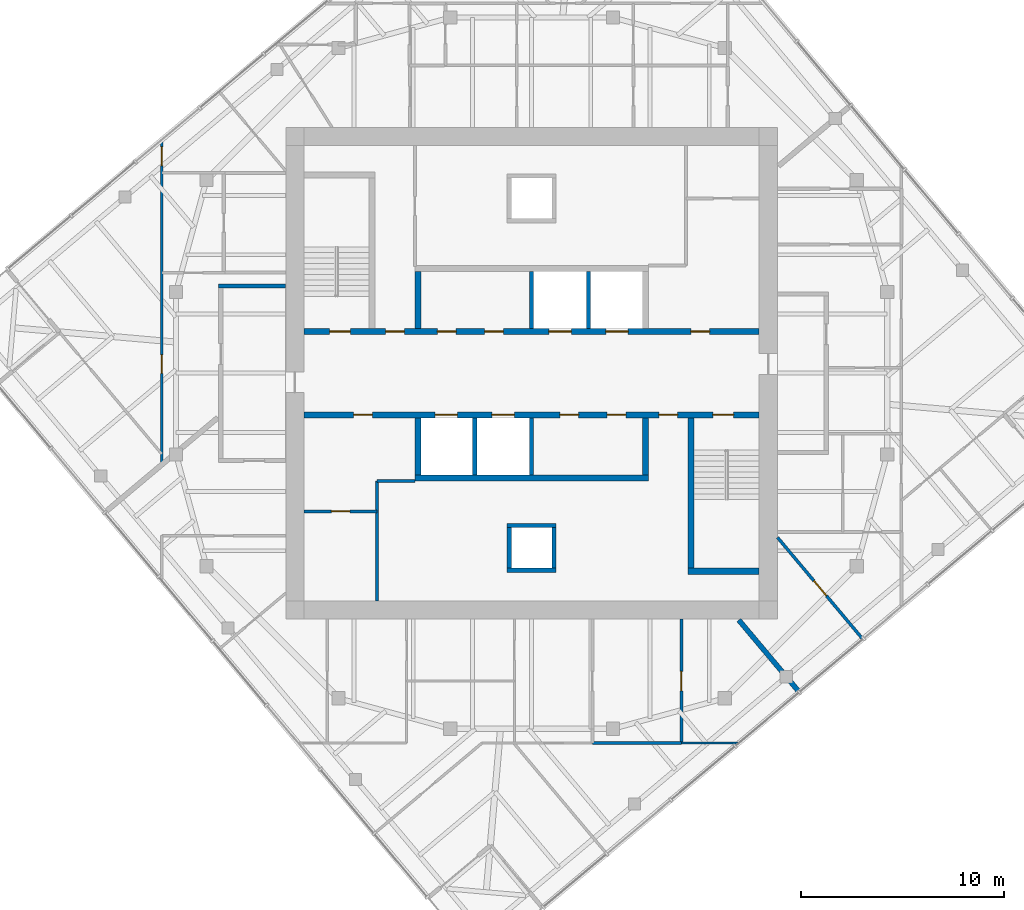
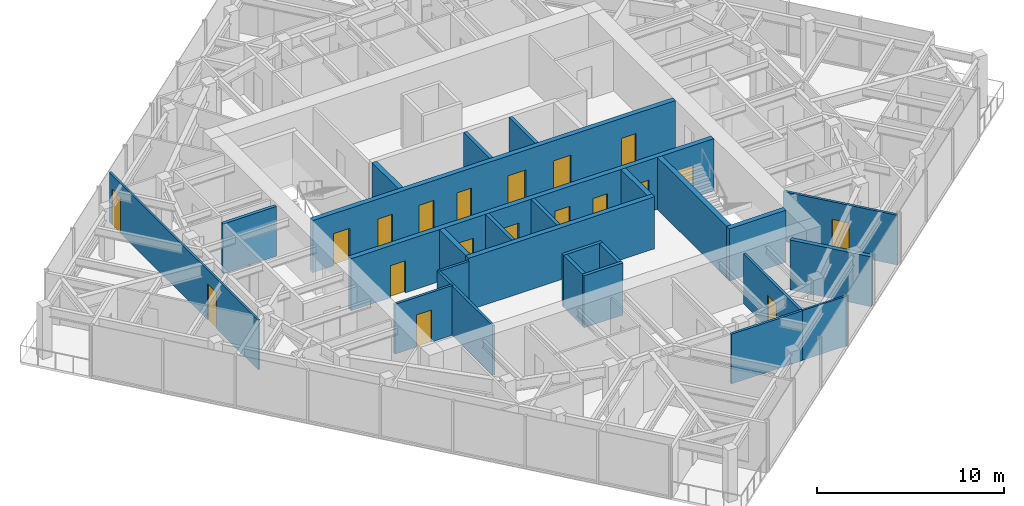
# One storey, part 8 of 12: 26 walls, 19 doors, 19 openings.
"""IFC4 building model written with IfcOpenShell, lengths in metres."""

from ifc_helpers import new_model, si_unit, direction, frame, frame_2d, origin, place, context, subcontext, project, spatial, rectangle, extrude, material, layer, layer_set, type_object, element, fill, save


model = new_model("IFC4")

# Units and contexts
model_context = context("Model", 3, precision=1e-05, world=origin(), true_north=direction((0.0, 1.0)))
body_context = subcontext(model_context, "Body", "Model", "MODEL_VIEW")
ifc_project = project(units=[si_unit("LENGTHUNIT", "METRE"), si_unit("AREAUNIT", "SQUARE_METRE"), si_unit("VOLUMEUNIT", "CUBIC_METRE"), si_unit("PLANEANGLEUNIT", "RADIAN"), si_unit("MASSUNIT", "GRAM", prefix="KILO")], contexts=[model_context])

# Site, building, storey
site_placement = place(None, origin())
site = spatial("IfcSite", under=ifc_project, at=site_placement, CompositionType="ELEMENT")
building_placement = place(site_placement, origin())
building = spatial("IfcBuilding", under=site, at=building_placement, Name="Torsade Residences", CompositionType="ELEMENT")
storey_placement = place(building_placement, frame((0.0, 0.0, 293.0)))
storey = spatial("IfcBuildingStorey", under=building, at=storey_placement, Name="L81", CompositionType="ELEMENT", Elevation=293.0)

# Wall, openings, doors
ifc_material_1 = material(Name="Concrete 80 MPa", Category="concrete")
ifc_layer_1 = layer(ifc_material_1, 0.300048828125)
ifc_layer_set_1 = layer_set([ifc_layer_1], Name="Concrete 80 MPa")
wall_type_1 = type_object("IfcWallType", Name="CORE INTERNAL WALL 300", PredefinedType="SHEAR", material=ifc_layer_set_1)
wall_1_placement = place(storey_placement, frame((28.800048828125, 32.050048828125, 0.0), z_axis=(0.0, 0.0, 1.0), x_axis=(1.0, 0.0, 0.0)))
wall_1 = element("IfcWall", 1, at=wall_1_placement, inside=storey, type_object=wall_type_1, Name="Core wall LN L81", PredefinedType="SHEAR", context=body_context, shape_type="SweptSolid", body=[
    extrude(rectangle(XDim=22.39990234375, YDim=0.300048828125, at=frame_2d((11.199951171875, 0.0))), origin(), (0.0, 0.0, 1.0), 3.39990234375),
])
opening_1_placement = place(wall_1_placement, frame((19.0400390625, 0.0, 0.0)))
opening_1 = element("IfcOpeningElement", 2, at=opening_1_placement, cuts=wall_1, Name="Opening D06", PredefinedType="OPENING", context=body_context, shape_type="SweptSolid", body=[
    extrude(rectangle(XDim=0.919921875, YDim=2.10009765625, at=frame_2d((0.4599609375, 1.050048828125))), frame((0.0, 0.159912109375, 0.0), z_axis=(0.0, -1.0, 0.0), x_axis=(1.0, 0.0, 0.0)), (0.0, 0.0, 1.0), 0.320068359375),
])
opening_2_placement = place(wall_1_placement, frame((1.264892578125, 0.0, 0.0)))
opening_2 = element("IfcOpeningElement", 3, at=opening_2_placement, cuts=wall_1, Name="Opening D03", PredefinedType="OPENING", context=body_context, shape_type="SweptSolid", body=[
    extrude(rectangle(XDim=1.02001953125, YDim=2.10009765625, at=frame_2d((0.510009765625, 1.050048828125))), frame((0.0, 0.159912109375, 0.0), z_axis=(0.0, -1.0, 0.0), x_axis=(1.0, 0.0, 0.0)), (0.0, 0.0, 1.0), 0.320068359375),
])
opening_3_placement = place(wall_1_placement, frame((4.014892578125, 0.0, 0.0)))
opening_3 = element("IfcOpeningElement", 4, at=opening_3_placement, cuts=wall_1, Name="Opening D06", PredefinedType="OPENING", context=body_context, shape_type="SweptSolid", body=[
    extrude(rectangle(XDim=0.919921875, YDim=2.10009765625, at=frame_2d((0.4599609375, 1.050048828125))), frame((0.0, 0.159912109375, 0.0), z_axis=(0.0, -1.0, 0.0), x_axis=(1.0, 0.0, 0.0)), (0.0, 0.0, 1.0), 0.320068359375),
])
opening_4_placement = place(wall_1_placement, frame((6.56494140625, 0.0, 0.0)))
opening_4 = element("IfcOpeningElement", 5, at=opening_4_placement, cuts=wall_1, Name="Opening D06", PredefinedType="OPENING", context=body_context, shape_type="SweptSolid", body=[
    extrude(rectangle(XDim=0.919921875, YDim=2.10009765625, at=frame_2d((0.4599609375, 1.050048828125))), frame((0.0, 0.159912109375, 0.0), z_axis=(0.0, -1.0, 0.0), x_axis=(1.0, 0.0, 0.0)), (0.0, 0.0, 1.0), 0.320068359375),
])
opening_5_placement = place(wall_1_placement, frame((8.889892578125, 0.0, 0.0)))
opening_5 = element("IfcOpeningElement", 6, at=opening_5_placement, cuts=wall_1, Name="Opening D06", PredefinedType="OPENING", context=body_context, shape_type="SweptSolid", body=[
    extrude(rectangle(XDim=0.919921875, YDim=2.10009765625, at=frame_2d((0.4599609375, 1.050048828125))), frame((0.0, 0.159912109375, 0.0), z_axis=(0.0, -1.0, 0.0), x_axis=(1.0, 0.0, 0.0)), (0.0, 0.0, 1.0), 0.320068359375),
])
opening_6_placement = place(wall_1_placement, frame((12.050048828125, 0.0, 0.0)))
opening_6 = element("IfcOpeningElement", 7, at=opening_6_placement, cuts=wall_1, Name="Opening LD", PredefinedType="OPENING", context=body_context, shape_type="SweptSolid", body=[
    extrude(rectangle(XDim=1.10009765625, YDim=2.10009765625, at=frame_2d((0.550048828125, 1.050048828125))), frame((0.0, 0.159912109375, 0.0), z_axis=(0.0, -1.0, 0.0), x_axis=(1.0, 0.0, 0.0)), (0.0, 0.0, 1.0), 0.320068359375),
])
opening_7_placement = place(wall_1_placement, frame((14.85009765625, 0.0, 0.0)))
opening_7 = element("IfcOpeningElement", 8, at=opening_7_placement, cuts=wall_1, Name="Opening LD", PredefinedType="OPENING", context=body_context, shape_type="SweptSolid", body=[
    extrude(rectangle(XDim=1.10009765625, YDim=2.10009765625, at=frame_2d((0.550048828125, 1.050048828125))), frame((0.0, 0.159912109375, 0.0), z_axis=(0.0, -1.0, 0.0), x_axis=(1.0, 0.0, 0.0)), (0.0, 0.0, 1.0), 0.320068359375),
])
ifc_material_2 = material(Name="Steel-framed fire door", Category="steel")
door_type_1 = type_object("IfcDoorType", Name="FIRE DOOR 1020", OperationType="NOTDEFINED", PredefinedType="DOOR", material=ifc_material_2)
door_1_placement = place(opening_2_placement, origin())
door_1 = element("IfcDoor", 9, at=door_1_placement, inside=storey, type_object=door_type_1, Name="Exit door to fire-isolated stair ST1 L81", OperationType="SINGLE_SWING_RIGHT", OverallHeight=2.10009765625, OverallWidth=1.02001953125, PredefinedType="DOOR", context=body_context, shape_type="SweptSolid", body=[
    extrude(rectangle(XDim=1.02001953125, YDim=2.10009765625, at=frame_2d((0.510009765625, 1.050048828125))), frame((0.0, 0.02490234375, 0.0), z_axis=(0.0, -1.0, 0.0), x_axis=(1.0, 0.0, 0.0)), (0.0, 0.0, 1.0), 0.050048828125),
])
fill(opening_2, door_1)
ifc_material_3 = material(Name="Steel-framed fire door", Category="steel")
door_type_2 = type_object("IfcDoorType", Name="FIRE DOOR 920", OperationType="NOTDEFINED", PredefinedType="DOOR", material=ifc_material_3)
door_2_placement = place(opening_1_placement, origin())
door_2 = element("IfcDoor", 10, at=door_2_placement, inside=storey, type_object=door_type_2, Name="Door Lift lobby to Refuse room", OperationType="SINGLE_SWING_LEFT", OverallHeight=2.10009765625, OverallWidth=0.919921875, PredefinedType="DOOR", context=body_context, shape_type="SweptSolid", body=[
    extrude(rectangle(XDim=0.919921875, YDim=2.10009765625, at=frame_2d((0.4599609375, 1.050048828125))), frame((0.0, 0.02490234375, 0.0), z_axis=(0.0, -1.0, 0.0), x_axis=(1.0, 0.0, 0.0)), (0.0, 0.0, 1.0), 0.050048828125),
])
fill(opening_1, door_2)
door_3_placement = place(opening_3_placement, origin())
door_3 = element("IfcDoor", 11, at=door_3_placement, inside=storey, type_object=door_type_2, Name="Door Lift lobby to Meter store", OperationType="SINGLE_SWING_LEFT", OverallHeight=2.10009765625, OverallWidth=0.919921875, PredefinedType="DOOR", context=body_context, shape_type="SweptSolid", body=[
    extrude(rectangle(XDim=0.919921875, YDim=2.10009765625, at=frame_2d((0.4599609375, 1.050048828125))), frame((0.0, 0.02490234375, 0.0), z_axis=(0.0, -1.0, 0.0), x_axis=(1.0, 0.0, 0.0)), (0.0, 0.0, 1.0), 0.050048828125),
])
fill(opening_3, door_3)
door_4_placement = place(opening_4_placement, origin())
door_4 = element("IfcDoor", 12, at=door_4_placement, inside=storey, type_object=door_type_2, Name="Door Lift lobby to Cleaners store L81A", OperationType="SINGLE_SWING_LEFT", OverallHeight=2.10009765625, OverallWidth=0.919921875, PredefinedType="DOOR", context=body_context, shape_type="SweptSolid", body=[
    extrude(rectangle(XDim=0.919921875, YDim=2.10009765625, at=frame_2d((0.4599609375, 1.050048828125))), frame((0.0, 0.02490234375, 0.0), z_axis=(0.0, -1.0, 0.0), x_axis=(1.0, 0.0, 0.0)), (0.0, 0.0, 1.0), 0.050048828125),
])
fill(opening_4, door_4)
door_5_placement = place(opening_5_placement, origin())
door_5 = element("IfcDoor", 13, at=door_5_placement, inside=storey, type_object=door_type_2, Name="Door Lift lobby to Cleaners store L81A", OperationType="SINGLE_SWING_LEFT", OverallHeight=2.10009765625, OverallWidth=0.919921875, PredefinedType="DOOR", context=body_context, shape_type="SweptSolid", body=[
    extrude(rectangle(XDim=0.919921875, YDim=2.10009765625, at=frame_2d((0.4599609375, 1.050048828125))), frame((0.0, 0.02490234375, 0.0), z_axis=(0.0, -1.0, 0.0), x_axis=(1.0, 0.0, 0.0)), (0.0, 0.0, 1.0), 0.050048828125),
])
fill(opening_5, door_5)
ifc_material_4 = material(Name="Stainless steel lift landing door", Category="steel")
door_type_3 = type_object("IfcDoorType", Name="LIFT LANDING DOOR 1100", OperationType="SLIDING_TO_LEFT", PredefinedType="DOOR", material=ifc_material_4)
door_6_placement = place(opening_6_placement, origin())
door_6 = element("IfcDoor", 14, at=door_6_placement, inside=storey, type_object=door_type_3, Name="Lift LA3 landing door L81", OperationType="SLIDING_TO_LEFT", OverallHeight=2.10009765625, OverallWidth=1.10009765625, PredefinedType="DOOR", context=body_context, shape_type="SweptSolid", body=[
    extrude(rectangle(XDim=1.10009765625, YDim=2.10009765625, at=frame_2d((0.550048828125, 1.050048828125))), frame((0.0, 0.02490234375, 0.0), z_axis=(0.0, -1.0, 0.0), x_axis=(1.0, 0.0, 0.0)), (0.0, 0.0, 1.0), 0.050048828125),
])
fill(opening_6, door_6)
door_7_placement = place(opening_7_placement, origin())
door_7 = element("IfcDoor", 15, at=door_7_placement, inside=storey, type_object=door_type_3, Name="Lift FL1 landing door L81", OperationType="SLIDING_TO_LEFT", OverallHeight=2.10009765625, OverallWidth=1.10009765625, PredefinedType="DOOR", context=body_context, shape_type="SweptSolid", body=[
    extrude(rectangle(XDim=1.10009765625, YDim=2.10009765625, at=frame_2d((0.550048828125, 1.050048828125))), frame((0.0, 0.02490234375, 0.0), z_axis=(0.0, -1.0, 0.0), x_axis=(1.0, 0.0, 0.0)), (0.0, 0.0, 1.0), 0.050048828125),
])
fill(opening_7, door_7)

wall_2_placement = place(storey_placement, frame((51.199951171875, 27.949951171875, 0.0), z_axis=(0.0, 0.0, 1.0), x_axis=(-1.0, 0.0, 0.0)))
wall_2 = element("IfcWall", 16, at=wall_2_placement, inside=storey, type_object=wall_type_1, Name="Core wall LS L81", PredefinedType="SHEAR", context=body_context, shape_type="SweptSolid", body=[
    extrude(rectangle(XDim=22.39990234375, YDim=0.300048828125, at=frame_2d((11.199951171875, 0.0))), origin(), (0.0, 0.0, 1.0), 3.39990234375),
])
opening_8_placement = place(wall_2_placement, frame((19.0400390625, 0.0, 0.0)))
opening_8 = element("IfcOpeningElement", 17, at=opening_8_placement, cuts=wall_2, Name="Opening D06", PredefinedType="OPENING", context=body_context, shape_type="SweptSolid", body=[
    extrude(rectangle(XDim=0.919921875, YDim=2.10009765625, at=frame_2d((0.4599609375, 1.050048828125))), frame((0.0, 0.159912109375, 0.0), z_axis=(0.0, -1.0, 0.0), x_axis=(1.0, 0.0, 0.0)), (0.0, 0.0, 1.0), 0.320068359375),
])
opening_9_placement = place(wall_2_placement, frame((1.264892578125, 0.0, 0.0)))
opening_9 = element("IfcOpeningElement", 18, at=opening_9_placement, cuts=wall_2, Name="Opening D03", PredefinedType="OPENING", context=body_context, shape_type="SweptSolid", body=[
    extrude(rectangle(XDim=1.02001953125, YDim=2.10009765625, at=frame_2d((0.510009765625, 1.050048828125))), frame((0.0, 0.159912109375, 0.0), z_axis=(0.0, -1.0, 0.0), x_axis=(1.0, 0.0, 0.0)), (0.0, 0.0, 1.0), 0.320068359375),
])
opening_10_placement = place(wall_2_placement, frame((4.014892578125, 0.0, 0.0)))
opening_10 = element("IfcOpeningElement", 19, at=opening_10_placement, cuts=wall_2, Name="Opening D06", PredefinedType="OPENING", context=body_context, shape_type="SweptSolid", body=[
    extrude(rectangle(XDim=0.919921875, YDim=2.10009765625, at=frame_2d((0.4599609375, 1.050048828125))), frame((0.0, 0.159912109375, 0.0), z_axis=(0.0, -1.0, 0.0), x_axis=(1.0, 0.0, 0.0)), (0.0, 0.0, 1.0), 0.320068359375),
])
opening_11_placement = place(wall_2_placement, frame((8.889892578125, 0.0, 0.0)))
opening_11 = element("IfcOpeningElement", 20, at=opening_11_placement, cuts=wall_2, Name="Opening D06", PredefinedType="OPENING", context=body_context, shape_type="SweptSolid", body=[
    extrude(rectangle(XDim=0.919921875, YDim=2.10009765625, at=frame_2d((0.4599609375, 1.050048828125))), frame((0.0, 0.159912109375, 0.0), z_axis=(0.0, -1.0, 0.0), x_axis=(1.0, 0.0, 0.0)), (0.0, 0.0, 1.0), 0.320068359375),
])
opening_12_placement = place(wall_2_placement, frame((6.56494140625, 0.0, 0.0)))
opening_12 = element("IfcOpeningElement", 21, at=opening_12_placement, cuts=wall_2, Name="Opening D06", PredefinedType="OPENING", context=body_context, shape_type="SweptSolid", body=[
    extrude(rectangle(XDim=0.919921875, YDim=2.10009765625, at=frame_2d((0.4599609375, 1.050048828125))), frame((0.0, 0.159912109375, 0.0), z_axis=(0.0, -1.0, 0.0), x_axis=(1.0, 0.0, 0.0)), (0.0, 0.0, 1.0), 0.320068359375),
])
opening_13_placement = place(wall_2_placement, frame((12.050048828125, 0.0, 0.0)))
opening_13 = element("IfcOpeningElement", 22, at=opening_13_placement, cuts=wall_2, Name="Opening LD", PredefinedType="OPENING", context=body_context, shape_type="SweptSolid", body=[
    extrude(rectangle(XDim=1.10009765625, YDim=2.10009765625, at=frame_2d((0.550048828125, 1.050048828125))), frame((0.0, 0.159912109375, 0.0), z_axis=(0.0, -1.0, 0.0), x_axis=(1.0, 0.0, 0.0)), (0.0, 0.0, 1.0), 0.320068359375),
])
opening_14_placement = place(wall_2_placement, frame((14.85009765625, 0.0, 0.0)))
opening_14 = element("IfcOpeningElement", 23, at=opening_14_placement, cuts=wall_2, Name="Opening LD", PredefinedType="OPENING", context=body_context, shape_type="SweptSolid", body=[
    extrude(rectangle(XDim=1.10009765625, YDim=2.10009765625, at=frame_2d((0.550048828125, 1.050048828125))), frame((0.0, 0.159912109375, 0.0), z_axis=(0.0, -1.0, 0.0), x_axis=(1.0, 0.0, 0.0)), (0.0, 0.0, 1.0), 0.320068359375),
])
door_8_placement = place(opening_9_placement, origin())
door_8 = element("IfcDoor", 24, at=door_8_placement, inside=storey, type_object=door_type_1, Name="Exit door to fire-isolated stair ST2 L81", OperationType="SINGLE_SWING_RIGHT", OverallHeight=2.10009765625, OverallWidth=1.02001953125, PredefinedType="DOOR", context=body_context, shape_type="SweptSolid", body=[
    extrude(rectangle(XDim=1.02001953125, YDim=2.10009765625, at=frame_2d((0.510009765625, 1.050048828125))), frame((0.0, 0.02490234375, 0.0), z_axis=(0.0, -1.0, 0.0), x_axis=(1.0, 0.0, 0.0)), (0.0, 0.0, 1.0), 0.050048828125),
])
fill(opening_9, door_8)
door_9_placement = place(opening_8_placement, origin())
door_9 = element("IfcDoor", 25, at=door_9_placement, inside=storey, type_object=door_type_2, Name="Door Lift lobby to Cleaner store", OperationType="SINGLE_SWING_LEFT", OverallHeight=2.10009765625, OverallWidth=0.919921875, PredefinedType="DOOR", context=body_context, shape_type="SweptSolid", body=[
    extrude(rectangle(XDim=0.919921875, YDim=2.10009765625, at=frame_2d((0.4599609375, 1.050048828125))), frame((0.0, 0.02490234375, 0.0), z_axis=(0.0, -1.0, 0.0), x_axis=(1.0, 0.0, 0.0)), (0.0, 0.0, 1.0), 0.050048828125),
])
fill(opening_8, door_9)
door_10_placement = place(opening_10_placement, origin())
door_10 = element("IfcDoor", 26, at=door_10_placement, inside=storey, type_object=door_type_2, Name="Door Lift lobby to Communications riser room", OperationType="SINGLE_SWING_RIGHT", OverallHeight=2.10009765625, OverallWidth=0.919921875, PredefinedType="DOOR", context=body_context, shape_type="SweptSolid", body=[
    extrude(rectangle(XDim=0.919921875, YDim=2.10009765625, at=frame_2d((0.4599609375, 1.050048828125))), frame((0.0, 0.02490234375, 0.0), z_axis=(0.0, -1.0, 0.0), x_axis=(1.0, 0.0, 0.0)), (0.0, 0.0, 1.0), 0.050048828125),
])
fill(opening_10, door_10)
door_11_placement = place(opening_11_placement, origin())
door_11 = element("IfcDoor", 27, at=door_11_placement, inside=storey, type_object=door_type_2, Name="Door Lift lobby to Residents storage L81B", OperationType="SINGLE_SWING_LEFT", OverallHeight=2.10009765625, OverallWidth=0.919921875, PredefinedType="DOOR", context=body_context, shape_type="SweptSolid", body=[
    extrude(rectangle(XDim=0.919921875, YDim=2.10009765625, at=frame_2d((0.4599609375, 1.050048828125))), frame((0.0, 0.02490234375, 0.0), z_axis=(0.0, -1.0, 0.0), x_axis=(1.0, 0.0, 0.0)), (0.0, 0.0, 1.0), 0.050048828125),
])
fill(opening_11, door_11)
door_12_placement = place(opening_12_placement, origin())
door_12 = element("IfcDoor", 28, at=door_12_placement, inside=storey, type_object=door_type_2, Name="Door Lift lobby to Residents storage L81B", OperationType="SINGLE_SWING_RIGHT", OverallHeight=2.10009765625, OverallWidth=0.919921875, PredefinedType="DOOR", context=body_context, shape_type="SweptSolid", body=[
    extrude(rectangle(XDim=0.919921875, YDim=2.10009765625, at=frame_2d((0.4599609375, 1.050048828125))), frame((0.0, 0.02490234375, 0.0), z_axis=(0.0, -1.0, 0.0), x_axis=(1.0, 0.0, 0.0)), (0.0, 0.0, 1.0), 0.050048828125),
])
fill(opening_12, door_12)
door_13_placement = place(opening_13_placement, origin())
door_13 = element("IfcDoor", 29, at=door_13_placement, inside=storey, type_object=door_type_3, Name="Lift LB3 landing door L81", OperationType="SLIDING_TO_LEFT", OverallHeight=2.10009765625, OverallWidth=1.10009765625, PredefinedType="DOOR", context=body_context, shape_type="SweptSolid", body=[
    extrude(rectangle(XDim=1.10009765625, YDim=2.10009765625, at=frame_2d((0.550048828125, 1.050048828125))), frame((0.0, 0.02490234375, 0.0), z_axis=(0.0, -1.0, 0.0), x_axis=(1.0, 0.0, 0.0)), (0.0, 0.0, 1.0), 0.050048828125),
])
fill(opening_13, door_13)
door_14_placement = place(opening_14_placement, origin())
door_14 = element("IfcDoor", 30, at=door_14_placement, inside=storey, type_object=door_type_3, Name="Lift FL2 landing door L81", OperationType="SLIDING_TO_LEFT", OverallHeight=2.10009765625, OverallWidth=1.10009765625, PredefinedType="DOOR", context=body_context, shape_type="SweptSolid", body=[
    extrude(rectangle(XDim=1.10009765625, YDim=2.10009765625, at=frame_2d((0.550048828125, 1.050048828125))), frame((0.0, 0.02490234375, 0.0), z_axis=(0.0, -1.0, 0.0), x_axis=(1.0, 0.0, 0.0)), (0.0, 0.0, 1.0), 0.050048828125),
])
fill(opening_14, door_14)

# Walls
wall_3_placement = place(storey_placement, frame((45.75, 24.85009765625, 0.0), z_axis=(0.0, 0.0, 1.0), x_axis=(-1.0, 0.0, 0.0)))
element("IfcWall", 31, at=wall_3_placement, inside=storey, type_object=wall_type_1, Name="Core wall BS L81", PredefinedType="SHEAR", context=body_context, shape_type="SweptSolid", body=[
    extrude(rectangle(XDim=11.5, YDim=0.300048828125, at=frame_2d((5.75, 0.0))), origin(), (0.0, 0.0, 1.0), 3.39990234375),
])
for number, where, z_axis, x_axis, name in (
    (32, (34.39990234375, 32.199951171875, 0.0), (0.0, 0.0, 1.0), (0.0, 1.0, 0.0), "Core wall DN0 L81"),
    (33, (45.60009765625, 27.800048828125, 0.0), (0.0, 0.0, 1.0), (0.0, -1.0, 0.0), "Core wall DS0 L81"),
    (34, (34.39990234375, 27.800048828125, 0.0), (0.0, 0.0, 1.0), (0.0, -1.0, 0.0), "Core wall DS4 L81"),
):
    element("IfcWall", number, at=place(storey_placement, frame(where, z_axis=z_axis, x_axis=x_axis)), inside=storey, type_object=wall_type_1, Name=name, PredefinedType="SHEAR", context=body_context, shape_type="SweptSolid", body=[
        extrude(rectangle(XDim=2.800048828125, YDim=0.300048828125, at=frame_2d((1.39990234375, 0.0))), origin(), (0.0, 0.0, 1.0), 3.39990234375),
    ])
wall_4_placement = place(storey_placement, frame((47.85009765625, 27.800048828125, 0.0), z_axis=(0.0, 0.0, 1.0), x_axis=(0.0, -1.0, 0.0)))
element("IfcWall", 35, at=wall_4_placement, inside=storey, type_object=wall_type_1, Name="Core wall ST2W L81", PredefinedType="SHEAR", context=body_context, shape_type="SweptSolid", body=[
    extrude(rectangle(XDim=7.699951171875, YDim=0.300048828125, at=frame_2d((3.85009765625, 0.0))), origin(), (0.0, 0.0, 1.0), 3.39990234375),
])
wall_5_placement = place(storey_placement, frame((51.199951171875, 20.25, 0.0), z_axis=(0.0, 0.0, 1.0), x_axis=(-1.0, 0.0, 0.0)))
element("IfcWall", 36, at=wall_5_placement, inside=storey, type_object=wall_type_1, Name="Core wall ST2S L81", PredefinedType="SHEAR", context=body_context, shape_type="SweptSolid", body=[
    extrude(rectangle(XDim=3.5, YDim=0.300048828125, at=frame_2d((1.75, 0.0))), origin(), (0.0, 0.0, 1.0), 3.39990234375),
])
ifc_material_5 = material(Name="Plasterboard on steel stud", Category="steel")
ifc_layer_2 = layer(ifc_material_5, 0.199951171875)
ifc_layer_set_2 = layer_set([ifc_layer_2], Name="Plasterboard on steel stud")
wall_type_2 = type_object("IfcWallType", Name="CORRIDOR WALL 200", PredefinedType="PARTITIONING", material=ifc_layer_set_2)
wall_6_placement = place(storey_placement, frame((27.89990234375, 34.300048828125, 0.0), z_axis=(0.0, 0.0, 1.0), x_axis=(-1.0, 0.0, 0.0)))
element("IfcWall", 37, at=wall_6_placement, inside=storey, type_object=wall_type_2, Name="Corridor wall L81", PredefinedType="PARTITIONING", context=body_context, shape_type="SweptSolid", body=[
    extrude(rectangle(XDim=3.2998046875, YDim=0.199951171875, at=frame_2d((1.64990234375, 0.0))), origin(), (0.0, 0.0, 1.0), 3.25),
])
ifc_material_6 = material(Name="Reinforced blockwork", Category="masonry")
ifc_layer_3 = layer(ifc_material_6, 0.199951171875)
ifc_layer_set_3 = layer_set([ifc_layer_3], Name="Reinforced blockwork")
wall_type_3 = type_object("IfcWallType", Name="LIFT SHAFT DIVIDING WALL 200", PredefinedType="SOLIDWALL", material=ifc_layer_set_3)
for number, where, z_axis, x_axis, name in (
    (38, (40.0, 32.199951171875, 0.0), (0.0, 0.0, 1.0), (0.0, 1.0, 0.0), "Core wall DN2 L81"),
    (39, (40.0, 27.800048828125, 0.0), (0.0, 0.0, 1.0), (0.0, -1.0, 0.0), "Core wall DS2 L81"),
    (40, (42.800048828125, 32.199951171875, 0.0), (0.0, 0.0, 1.0), (0.0, 1.0, 0.0), "Core wall DN3 L81"),
    (41, (37.199951171875, 27.800048828125, 0.0), (0.0, 0.0, 1.0), (0.0, -1.0, 0.0), "Core wall DS3 L81"),
):
    element("IfcWall", number, at=place(storey_placement, frame(where, z_axis=z_axis, x_axis=x_axis)), inside=storey, type_object=wall_type_3, Name=name, PredefinedType="SOLIDWALL", context=body_context, shape_type="SweptSolid", body=[
        extrude(rectangle(XDim=2.800048828125, YDim=0.199951171875, at=frame_2d((1.39990234375, 0.0))), origin(), (0.0, 0.0, 1.0), 3.39990234375),
    ])
ifc_material_7 = material(Name="Plasterboard on steel stud", Category="steel")
ifc_layer_4 = layer(ifc_material_7, 0.1201171875)
ifc_layer_set_4 = layer_set([ifc_layer_4], Name="Plasterboard on steel stud")
wall_type_4 = type_object("IfcWallType", Name="PARTITION 120", PredefinedType="PARTITIONING", material=ifc_layer_set_4)
wall_7_placement = place(storey_placement, frame((50.162353515625, 11.800048828125, 0.0), z_axis=(0.0, 0.0, 1.0), x_axis=(-1.0, 0.0, 0.0)))
element("IfcWall", 42, at=wall_7_placement, inside=storey, type_object=wall_type_4, Name="Partition L81", PredefinedType="PARTITIONING", context=body_context, shape_type="SweptSolid", body=[
    extrude(rectangle(XDim=2.78857421875, YDim=0.1201171875, at=frame_2d((1.394287109375, 0.0))), origin(), (0.0, 0.0, 1.0), 3.25),
])

# Wall, openings, doors
wall_8_placement = place(storey_placement, frame((21.800048828125, 25.498046875, 0.0), z_axis=(0.0, 0.0, 1.0), x_axis=(0.0, 1.0, 0.0)))
wall_8 = element("IfcWall", 43, at=wall_8_placement, inside=storey, type_object=wall_type_4, Name="Partition L81", PredefinedType="PARTITIONING", context=body_context, shape_type="SweptSolid", body=[
    extrude(rectangle(XDim=15.93896484375, YDim=0.1201171875, at=frame_2d((7.969482421875, 0.0))), origin(), (0.0, 0.0, 1.0), 3.25),
])
opening_15_placement = place(wall_8_placement, frame((4.48583984375, 0.0, 0.0)))
opening_15 = element("IfcOpeningElement", 44, at=opening_15_placement, cuts=wall_8, Name="Opening D02", PredefinedType="OPENING", context=body_context, shape_type="SweptSolid", body=[
    extrude(rectangle(XDim=0.919921875, YDim=2.340087890625, at=frame_2d((0.4599609375, 1.169921875))), frame((0.0, 0.070068359375, 0.0), z_axis=(0.0, -1.0, 0.0), x_axis=(1.0, 0.0, 0.0)), (0.0, 0.0, 1.0), 0.14013671875),
])
opening_16_placement = place(wall_8_placement, frame((14.712646484375, 0.0, 0.0)))
opening_16 = element("IfcOpeningElement", 45, at=opening_16_placement, cuts=wall_8, Name="Opening D02", PredefinedType="OPENING", context=body_context, shape_type="SweptSolid", body=[
    extrude(rectangle(XDim=0.919921875, YDim=2.340087890625, at=frame_2d((0.4599609375, 1.169921875))), frame((0.0, 0.070068359375, 0.0), z_axis=(0.0, -1.0, 0.0), x_axis=(1.0, 0.0, 0.0)), (0.0, 0.0, 1.0), 0.14013671875),
])
ifc_material_8 = material(Name="Hollow-core timber door", Category="wood")
door_type_4 = type_object("IfcDoorType", Name="INTERNAL DOOR 920x2340", OperationType="NOTDEFINED", PredefinedType="DOOR", material=ifc_material_8)
door_15_placement = place(opening_15_placement, origin())
door_15 = element("IfcDoor", 46, at=door_15_placement, inside=storey, type_object=door_type_4, Name="Door Kitchen and dining to Living room", OperationType="SINGLE_SWING_RIGHT", OverallHeight=2.340087890625, OverallWidth=0.919921875, PredefinedType="DOOR", context=body_context, shape_type="SweptSolid", body=[
    extrude(rectangle(XDim=0.919921875, YDim=2.340087890625, at=frame_2d((0.4599609375, 1.169921875))), frame((0.0, 0.02490234375, 0.0), z_axis=(0.0, -1.0, 0.0), x_axis=(1.0, 0.0, 0.0)), (0.0, 0.0, 1.0), 0.050048828125),
])
fill(opening_15, door_15)
door_16_placement = place(opening_16_placement, origin())
door_16 = element("IfcDoor", 47, at=door_16_placement, inside=storey, type_object=door_type_4, Name="Door Living room to Dressing room 2", OperationType="SINGLE_SWING_RIGHT", OverallHeight=2.340087890625, OverallWidth=0.919921875, PredefinedType="DOOR", context=body_context, shape_type="SweptSolid", body=[
    extrude(rectangle(XDim=0.919921875, YDim=2.340087890625, at=frame_2d((0.4599609375, 1.169921875))), frame((0.0, 0.02490234375, 0.0), z_axis=(0.0, -1.0, 0.0), x_axis=(1.0, 0.0, 0.0)), (0.0, 0.0, 1.0), 0.050048828125),
])
fill(opening_16, door_16)

# Walls
ifc_material_9 = material(Name="Masonry-lined stud party wall", Category="masonry")
ifc_layer_5 = layer(ifc_material_9, 0.25)
ifc_layer_set_5 = layer_set([ifc_layer_5], Name="Masonry-lined stud party wall")
wall_type_5 = type_object("IfcWallType", Name="PARTY WALL 250", PredefinedType="PARTITIONING", material=ifc_layer_set_5)
wall_9_placement = place(storey_placement, frame((53.17724609375, 14.296142578125, 0.0), z_axis=(0.0, 0.0, 1.0), x_axis=(-0.64279957712, 0.76603440109, 0.0)))
element("IfcWall", 48, at=wall_9_placement, inside=storey, type_object=wall_type_5, Name="Party wall L81", PredefinedType="PARTITIONING", context=body_context, shape_type="SweptSolid", body=[
    extrude(rectangle(XDim=4.6396484375, YDim=0.25, at=frame_2d((2.31982421875, 0.0))), origin(), (0.0, 0.0, 1.0), 3.25),
])
ifc_material_10 = material(Name="Reinforced blockwork", Category="masonry")
ifc_layer_6 = layer(ifc_material_10, 0.199951171875)
ifc_layer_set_6 = layer_set([ifc_layer_6], Name="Reinforced blockwork")
wall_type_6 = type_object("IfcWallType", Name="RISER SHAFT WALL 200", PredefinedType="SOLIDWALL", material=ifc_layer_set_6)
for number, where, z_axis, x_axis, name in (
    (49, (38.89990234375, 22.39990234375, 0.0), (0.0, 0.0, 1.0), (0.0, -1.0, 0.0), "Core wall RS2a L81"),
    (50, (41.10009765625, 22.39990234375, 0.0), (0.0, 0.0, 1.0), (0.0, -1.0, 0.0), "Core wall RS2b L81"),
):
    element("IfcWall", number, at=place(storey_placement, frame(where, z_axis=z_axis, x_axis=x_axis)), inside=storey, type_object=wall_type_6, Name=name, PredefinedType="SOLIDWALL", context=body_context, shape_type="SweptSolid", body=[
        extrude(rectangle(XDim=2.0, YDim=0.199951171875, at=frame_2d((1.0, 0.0))), origin(), (0.0, 0.0, 1.0), 3.39990234375),
    ])
for number, where, z_axis, x_axis, name in (
    (51, (38.800048828125, 22.5, 0.0), (0.0, 0.0, 1.0), (1.0, 0.0, 0.0), "Core wall RS2c L81"),
    (52, (38.800048828125, 20.300048828125, 0.0), (0.0, 0.0, 1.0), (1.0, 0.0, 0.0), "Core wall RS2d L81"),
):
    element("IfcWall", number, at=place(storey_placement, frame(where, z_axis=z_axis, x_axis=x_axis)), inside=storey, type_object=wall_type_6, Name=name, PredefinedType="SOLIDWALL", context=body_context, shape_type="SweptSolid", body=[
        extrude(rectangle(XDim=2.39990234375, YDim=0.199951171875, at=frame_2d((1.199951171875, 0.0))), origin(), (0.0, 0.0, 1.0), 3.39990234375),
    ])
ifc_material_11 = material(Name="Reinforced blockwork", Category="masonry")
ifc_layer_7 = layer(ifc_material_11, 0.14990234375)
ifc_layer_set_7 = layer_set([ifc_layer_7], Name="Reinforced blockwork")
wall_type_7 = type_object("IfcWallType", Name="SERVICE ROOM WALL 150", PredefinedType="SOLIDWALL", material=ifc_layer_set_7)
wall_10_placement = place(storey_placement, frame((32.39990234375, 18.800048828125, 0.0), z_axis=(0.0, 0.0, 1.0), x_axis=(0.0, 1.0, 0.0)))
element("IfcWall", 53, at=wall_10_placement, inside=storey, type_object=wall_type_7, Name="Service room wall L81", PredefinedType="SOLIDWALL", context=body_context, shape_type="SweptSolid", body=[
    extrude(rectangle(XDim=5.89990234375, YDim=0.14990234375, at=frame_2d((2.949951171875, 0.0))), origin(), (0.0, 0.0, 1.0), 3.25),
])
wall_11_placement = place(storey_placement, frame((32.39990234375, 24.699951171875, 0.0), z_axis=(0.0, 0.0, 1.0), x_axis=(1.0, 0.0, 0.0)))
element("IfcWall", 54, at=wall_11_placement, inside=storey, type_object=wall_type_7, Name="Service room wall L81", PredefinedType="SOLIDWALL", context=body_context, shape_type="SweptSolid", body=[
    extrude(rectangle(XDim=1.85009765625, YDim=0.14990234375, at=frame_2d((0.925048828125, 0.0))), origin(), (0.0, 0.0, 1.0), 3.25),
])

# Wall, opening, door
wall_12_placement = place(storey_placement, frame((32.39990234375, 23.199951171875, 0.0), z_axis=(0.0, 0.0, 1.0), x_axis=(-1.0, 0.0, 0.0)))
wall_12 = element("IfcWall", 55, at=wall_12_placement, inside=storey, type_object=wall_type_7, Name="Service room wall L81", PredefinedType="SOLIDWALL", context=body_context, shape_type="SweptSolid", body=[
    extrude(rectangle(XDim=3.599853515625, YDim=0.14990234375, at=frame_2d((1.7998046875, 0.0))), origin(), (0.0, 0.0, 1.0), 3.25),
])
opening_17_placement = place(wall_12_placement, frame((1.340087890625, 0.0, 0.0)))
opening_17 = element("IfcOpeningElement", 56, at=opening_17_placement, cuts=wall_12, Name="Opening D06", PredefinedType="OPENING", context=body_context, shape_type="SweptSolid", body=[
    extrude(rectangle(XDim=0.919921875, YDim=2.10009765625, at=frame_2d((0.4599609375, 1.050048828125))), frame((0.0, 0.0849609375, 0.0), z_axis=(0.0, -1.0, 0.0), x_axis=(1.0, 0.0, 0.0)), (0.0, 0.0, 1.0), 0.169921875),
])
door_17_placement = place(opening_17_placement, origin())
door_17 = element("IfcDoor", 57, at=door_17_placement, inside=storey, type_object=door_type_2, Name="Door Cleaner store to Sprinkler valve room", OperationType="SINGLE_SWING_LEFT", OverallHeight=2.10009765625, OverallWidth=0.919921875, PredefinedType="DOOR", context=body_context, shape_type="SweptSolid", body=[
    extrude(rectangle(XDim=0.919921875, YDim=2.10009765625, at=frame_2d((0.4599609375, 1.050048828125))), frame((0.0, 0.02490234375, 0.0), z_axis=(0.0, -1.0, 0.0), x_axis=(1.0, 0.0, 0.0)), (0.0, 0.0, 1.0), 0.050048828125),
])
fill(opening_17, door_17)

wall_13_placement = place(storey_placement, frame((47.373779296875, 11.800048828125, 0.0), z_axis=(0.0, 0.0, 1.0), x_axis=(0.0, 1.0, 0.0)))
wall_13 = element("IfcWall", 58, at=wall_13_placement, inside=storey, type_object=wall_type_7, Name="Service room wall L81", PredefinedType="SOLIDWALL", context=body_context, shape_type="SweptSolid", body=[
    extrude(rectangle(XDim=6.099853515625, YDim=0.14990234375, at=frame_2d((3.0498046875, 0.0))), origin(), (0.0, 0.0, 1.0), 3.25),
])
opening_18_placement = place(wall_13_placement, frame((2.570068359375, 0.0, 0.0)))
opening_18 = element("IfcOpeningElement", 59, at=opening_18_placement, cuts=wall_13, Name="Opening D05", PredefinedType="OPENING", context=body_context, shape_type="SweptSolid", body=[
    extrude(rectangle(XDim=0.9599609375, YDim=2.10009765625, at=frame_2d((0.47998046875, 1.050048828125))), frame((0.0, 0.0849609375, 0.0), z_axis=(0.0, -1.0, 0.0), x_axis=(1.0, 0.0, 0.0)), (0.0, 0.0, 1.0), 0.169921875),
])
ifc_material_12 = material(Name="Hollow-core timber door in a steel cavity frame", Category="steel")
door_type_5 = type_object("IfcDoorType", Name="BATHROOM CAVITY SLIDING DOOR 960", OperationType="SLIDING_TO_LEFT", PredefinedType="DOOR", material=ifc_material_12)
door_18_placement = place(opening_18_placement, origin())
door_18 = element("IfcDoor", 60, at=door_18_placement, inside=storey, type_object=door_type_5, Name="Door Linen store to Laundry 2", OperationType="SLIDING_TO_LEFT", OverallHeight=2.10009765625, OverallWidth=0.9599609375, PredefinedType="DOOR", context=body_context, shape_type="SweptSolid", body=[
    extrude(rectangle(XDim=0.9599609375, YDim=2.10009765625, at=frame_2d((0.47998046875, 1.050048828125))), frame((0.0, 0.02490234375, 0.0), z_axis=(0.0, -1.0, 0.0), x_axis=(1.0, 0.0, 0.0)), (0.0, 0.0, 1.0), 0.050048828125),
])
fill(opening_18, door_18)

# Wall
wall_14_placement = place(storey_placement, frame((47.373779296875, 11.800048828125, 0.0), z_axis=(0.0, 0.0, 1.0), x_axis=(-1.0, 0.0, 0.0)))
element("IfcWall", 61, at=wall_14_placement, inside=storey, type_object=wall_type_7, Name="Service room wall L81", PredefinedType="SOLIDWALL", context=body_context, shape_type="SweptSolid", body=[
    extrude(rectangle(XDim=4.38818359375, YDim=0.14990234375, at=frame_2d((2.194091796875, 0.0))), origin(), (0.0, 0.0, 1.0), 3.25),
])

# Wall, opening, door
wall_15_placement = place(storey_placement, frame((52.10009765625, 21.91455078125, 0.0), z_axis=(0.0, 0.0, 1.0), x_axis=(0.642782544614, -0.766048693191, 0.0)))
wall_15 = element("IfcWall", 62, at=wall_15_placement, inside=storey, type_object=wall_type_7, Name="Service room wall L81", PredefinedType="SOLIDWALL", context=body_context, shape_type="SweptSolid", body=[
    extrude(rectangle(XDim=6.488525390625, YDim=0.14990234375, at=frame_2d((3.244140625, 0.0))), origin(), (0.0, 0.0, 1.0), 3.25),
])
opening_19_placement = place(wall_15_placement, frame((2.7841796875, 0.0, 0.0)))
opening_19 = element("IfcOpeningElement", 63, at=opening_19_placement, cuts=wall_15, Name="Opening D05", PredefinedType="OPENING", context=body_context, shape_type="SweptSolid", body=[
    extrude(rectangle(XDim=0.9599609375, YDim=2.10009765625, at=frame_2d((0.47998046875, 1.050048828125))), frame((0.0, 0.0849609375, 0.0), z_axis=(0.0, -1.0, 0.0), x_axis=(1.0, 0.0, 0.0)), (0.0, 0.0, 1.0), 0.169921875),
])
door_19_placement = place(opening_19_placement, origin())
door_19 = element("IfcDoor", 64, at=door_19_placement, inside=storey, type_object=door_type_5, Name="Door Linen store to Laundry", OperationType="SLIDING_TO_LEFT", OverallHeight=2.10009765625, OverallWidth=0.9599609375, PredefinedType="DOOR", context=body_context, shape_type="SweptSolid", body=[
    extrude(rectangle(XDim=0.9599609375, YDim=2.10009765625, at=frame_2d((0.47998046875, 1.050048828125))), frame((0.0, 0.02490234375, 0.0), z_axis=(0.0, -1.0, 0.0), x_axis=(1.0, 0.0, 0.0)), (0.0, 0.0, 1.0), 0.050048828125),
])
fill(opening_19, door_19)

save(model, "model.ifc")
